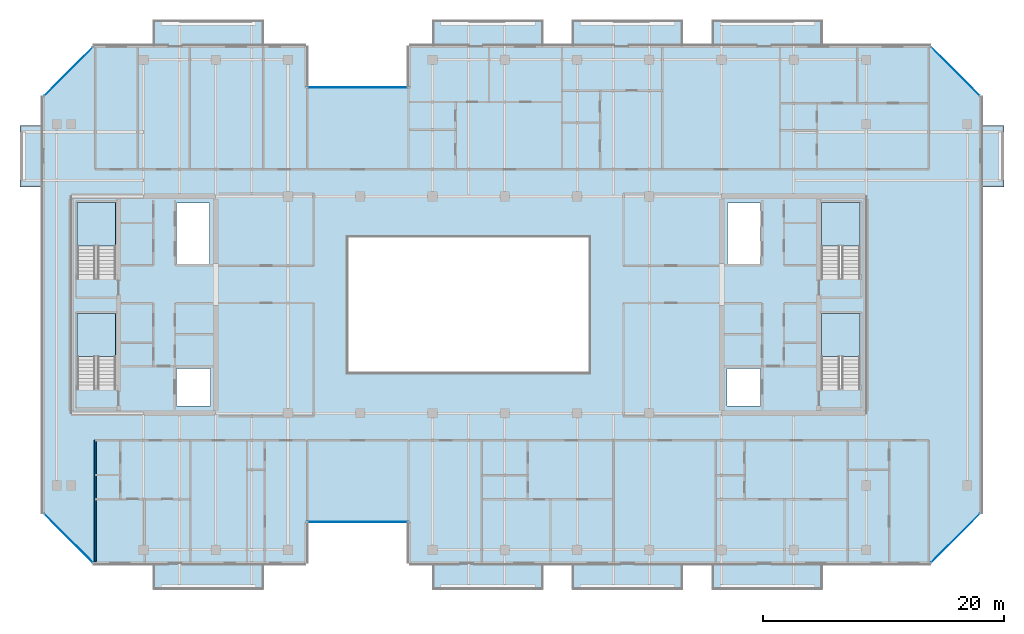
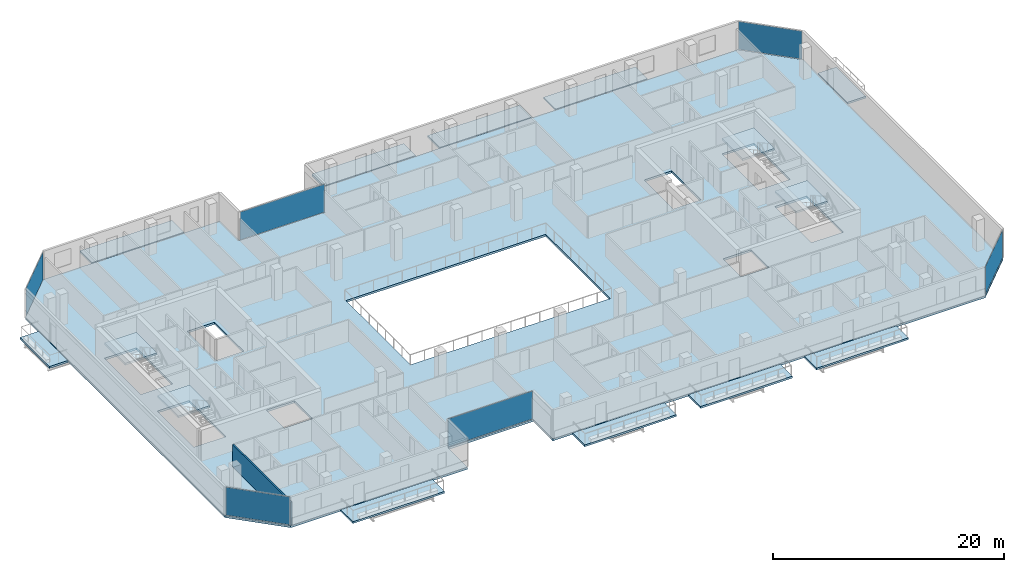
# One storey, part 17 of 29: 15 slabs, 6 plates, 1 wall, 10 elements without a shape of their own.
"""IFC4 building model written with IfcOpenShell, lengths in metres."""

from ifc_helpers import new_model, si_unit, direction, frame, frame_2d, origin, origin_2d, place, context, subcontext, project, spatial, polyline, rectangle, outline, extrude, material, layer, layer_set, type_object, element, aggregate, save


model = new_model("IFC4")

# Units and contexts
model_context = context("Model", 3, precision=1e-05, world=origin(), true_north=direction((0.0, 1.0)))
body_context = subcontext(model_context, "Body", "Model", "MODEL_VIEW")
ifc_project = project(units=[si_unit("LENGTHUNIT", "METRE"), si_unit("AREAUNIT", "SQUARE_METRE"), si_unit("VOLUMEUNIT", "CUBIC_METRE"), si_unit("PLANEANGLEUNIT", "RADIAN"), si_unit("MASSUNIT", "GRAM", prefix="KILO")], contexts=[model_context])

# Site, building, storey
site_placement = place(None, origin())
site = spatial("IfcSite", under=ifc_project, at=site_placement, CompositionType="ELEMENT")
building_placement = place(site_placement, origin())
building = spatial("IfcBuilding", under=site, at=building_placement, Name="Tanjung Sevakor Pilgrim Tower", CompositionType="ELEMENT")
storey_placement = place(building_placement, frame((0.0, 0.0, 181.830078125)))
storey = spatial("IfcBuildingStorey", under=building, at=storey_placement, Name="L50", CompositionType="ELEMENT", Elevation=181.830078125)

# Slabs
ifc_material_1 = material(Name="Concrete C40/50", Category="concrete")
ifc_layer_1 = layer(ifc_material_1, 0.199951171875)
ifc_layer_set_1 = layer_set([ifc_layer_1], Name="SL-BAL-200")
slab_type_1 = type_object("IfcSlabType", Name="SL-BAL-200", PredefinedType="FLOOR", material=ifc_layer_set_1)
slab_1_placement = place(storey_placement, frame((0.0, 0.0, -0.2001953125)))
element("IfcSlab", 1, at=slab_1_placement, inside=storey, type_object=slab_type_1, Name="L50 Planted Loggia Balcony MAIN-S1", PredefinedType="FLOOR", context=body_context, shape_type="SweptSolid", body=[
    extrude(outline(polyline([(30.800048828125, 9.949951171875), (40.0, 9.949951171875), (40.0, 12.050048828125), (30.800048828125, 12.050048828125), (30.800048828125, 9.949951171875)])), origin(), (0.0, 0.0, 1.0), 0.2001953125),
])
slab_2_placement = place(storey_placement, frame((0.0, 0.0, -0.2001953125)))
element("IfcSlab", 2, at=slab_2_placement, inside=storey, type_object=slab_type_1, Name="L50 Planted Loggia Balcony MAIN-N1", PredefinedType="FLOOR", context=body_context, shape_type="SweptSolid", body=[
    extrude(outline(polyline([(30.800048828125, 55.14990234375), (40.0, 55.14990234375), (40.0, 57.25), (30.800048828125, 57.25), (30.800048828125, 55.14990234375)])), origin(), (0.0, 0.0, 1.0), 0.2001953125),
])
slab_3_placement = place(storey_placement, frame((0.0, 0.0, -0.2001953125)))
element("IfcSlab", 3, at=slab_3_placement, inside=storey, type_object=slab_type_1, Name="L50 Planted Loggia Balcony MAIN-S2", PredefinedType="FLOOR", context=body_context, shape_type="SweptSolid", body=[
    extrude(outline(polyline([(54.0, 9.949951171875), (63.199951171875, 9.949951171875), (63.199951171875, 12.050048828125), (54.0, 12.050048828125), (54.0, 9.949951171875)])), origin(), (0.0, 0.0, 1.0), 0.2001953125),
])
slab_4_placement = place(storey_placement, frame((0.0, 0.0, -0.2001953125)))
element("IfcSlab", 4, at=slab_4_placement, inside=storey, type_object=slab_type_1, Name="L50 Planted Loggia Balcony MAIN-N2", PredefinedType="FLOOR", context=body_context, shape_type="SweptSolid", body=[
    extrude(outline(polyline([(54.0, 55.14990234375), (63.199951171875, 55.14990234375), (63.199951171875, 57.25), (54.0, 57.25), (54.0, 55.14990234375)])), origin(), (0.0, 0.0, 1.0), 0.2001953125),
])
slab_5_placement = place(storey_placement, frame((0.0, 0.0, -0.2001953125)))
element("IfcSlab", 5, at=slab_5_placement, inside=storey, type_object=slab_type_1, Name="L50 Planted Loggia Balcony MAIN-S3", PredefinedType="FLOOR", context=body_context, shape_type="SweptSolid", body=[
    extrude(outline(polyline([(65.60009765625, 9.949951171875), (74.800048828125, 9.949951171875), (74.800048828125, 12.050048828125), (65.60009765625, 12.050048828125), (65.60009765625, 9.949951171875)])), origin(), (0.0, 0.0, 1.0), 0.2001953125),
])
slab_6_placement = place(storey_placement, frame((0.0, 0.0, -0.2001953125)))
element("IfcSlab", 6, at=slab_6_placement, inside=storey, type_object=slab_type_1, Name="L50 Planted Loggia Balcony MAIN-N3", PredefinedType="FLOOR", context=body_context, shape_type="SweptSolid", body=[
    extrude(outline(polyline([(65.60009765625, 55.14990234375), (74.800048828125, 55.14990234375), (74.800048828125, 57.25), (65.60009765625, 57.25), (65.60009765625, 55.14990234375)])), origin(), (0.0, 0.0, 1.0), 0.2001953125),
])
slab_7_placement = place(storey_placement, frame((0.0, 0.0, -0.2001953125)))
element("IfcSlab", 7, at=slab_7_placement, inside=storey, type_object=slab_type_1, Name="L50 Planted Loggia Balcony MAIN-S4", PredefinedType="FLOOR", context=body_context, shape_type="SweptSolid", body=[
    extrude(outline(polyline([(77.199951171875, 9.949951171875), (86.39990234375, 9.949951171875), (86.39990234375, 12.050048828125), (77.199951171875, 12.050048828125), (77.199951171875, 9.949951171875)])), origin(), (0.0, 0.0, 1.0), 0.2001953125),
])
slab_8_placement = place(storey_placement, frame((0.0, 0.0, -0.2001953125)))
element("IfcSlab", 8, at=slab_8_placement, inside=storey, type_object=slab_type_1, Name="L50 Planted Loggia Balcony MAIN-N4", PredefinedType="FLOOR", context=body_context, shape_type="SweptSolid", body=[
    extrude(outline(polyline([(77.199951171875, 55.14990234375), (86.39990234375, 55.14990234375), (86.39990234375, 57.25), (77.199951171875, 57.25), (77.199951171875, 55.14990234375)])), origin(), (0.0, 0.0, 1.0), 0.2001953125),
])
slab_9_placement = place(storey_placement, frame((0.0, 0.0, -0.2001953125)))
element("IfcSlab", 9, at=slab_9_placement, inside=storey, type_object=slab_type_1, Name="L50 Planted Loggia Balcony MAIN-W1", PredefinedType="FLOOR", context=body_context, shape_type="SweptSolid", body=[
    extrude(outline(polyline([(19.75, 43.39990234375), (21.60009765625, 43.39990234375), (21.60009765625, 48.5), (19.75, 48.5), (19.75, 43.39990234375)])), origin(), (0.0, 0.0, 1.0), 0.2001953125),
])
slab_10_placement = place(storey_placement, frame((0.0, 0.0, -0.2001953125)))
element("IfcSlab", 10, at=slab_10_placement, inside=storey, type_object=slab_type_1, Name="L50 Planted Loggia Balcony MAIN-E1", PredefinedType="FLOOR", context=body_context, shape_type="SweptSolid", body=[
    extrude(outline(polyline([(99.60009765625, 43.39990234375), (101.449951171875, 43.39990234375), (101.449951171875, 48.5), (99.60009765625, 48.5), (99.60009765625, 43.39990234375)])), origin(), (0.0, 0.0, 1.0), 0.2001953125),
])

# Stair, slab
ifc_material_2 = material(Name="Concrete C40/50", Category="concrete")
stair_type = type_object("IfcStairType", Name="STAIR-ST-CR150", PredefinedType="HALF_TURN_STAIR", material=ifc_material_2)
stair_1_placement = place(storey_placement, origin())
stair_1 = element("IfcStair", 11, at=stair_1_placement, inside=storey, type_object=stair_type, Name="L50 West Core Exit Stair 1", PredefinedType="HALF_TURN_STAIR")
ifc_material_3 = material(Name="Concrete C40/50", Category="concrete")
ifc_layer_2 = layer(ifc_material_3, 0.199951171875)
ifc_layer_set_2 = layer_set([ifc_layer_2], Name="SL-LAND-200")
slab_type_2 = type_object("IfcSlabType", Name="SL-LAND-200", PredefinedType="LANDING", material=ifc_layer_set_2)
slab_11_placement = place(storey_placement, frame((0.0, 0.0, 1.449951171875)))
slab_11 = element("IfcSlab", 12, at=slab_11_placement, type_object=slab_type_2, Name="TS-W1 landing 1", PredefinedType="LANDING", context=body_context, shape_type="SweptSolid", body=[
    extrude(outline(polyline([(27.699951171875, 29.300048828125), (27.699951171875, 32.89990234375), (24.5, 32.89990234375), (24.5, 29.300048828125), (27.699951171875, 29.300048828125)])), origin(), (0.0, 0.0, 1.0), 0.199951171875),
])
aggregate(stair_1, [slab_11])

stair_2_placement = place(storey_placement, origin())
stair_2 = element("IfcStair", 13, at=stair_2_placement, inside=storey, type_object=stair_type, Name="L50 West Core Exit Stair 2", PredefinedType="HALF_TURN_STAIR")
slab_12_placement = place(storey_placement, frame((0.0, 0.0, 1.449951171875)))
slab_12 = element("IfcSlab", 14, at=slab_12_placement, type_object=slab_type_2, Name="TS-W2 landing 1", PredefinedType="LANDING", context=body_context, shape_type="SweptSolid", body=[
    extrude(outline(polyline([(27.699951171875, 38.5), (27.699951171875, 42.10009765625), (24.5, 42.10009765625), (24.5, 38.5), (27.699951171875, 38.5)])), origin(), (0.0, 0.0, 1.0), 0.199951171875),
])
aggregate(stair_2, [slab_12])

stair_3_placement = place(storey_placement, origin())
stair_3 = element("IfcStair", 15, at=stair_3_placement, inside=storey, type_object=stair_type, Name="L50 East Core Exit Stair 1", PredefinedType="HALF_TURN_STAIR")
slab_13_placement = place(storey_placement, frame((0.0, 0.0, 1.449951171875)))
slab_13 = element("IfcSlab", 16, at=slab_13_placement, type_object=slab_type_2, Name="TS-E1 landing 1", PredefinedType="LANDING", context=body_context, shape_type="SweptSolid", body=[
    extrude(outline(polyline([(89.5, 29.300048828125), (89.5, 32.89990234375), (86.300048828125, 32.89990234375), (86.300048828125, 29.300048828125), (89.5, 29.300048828125)])), origin(), (0.0, 0.0, 1.0), 0.199951171875),
])
aggregate(stair_3, [slab_13])

stair_4_placement = place(storey_placement, origin())
stair_4 = element("IfcStair", 17, at=stair_4_placement, inside=storey, type_object=stair_type, Name="L50 East Core Exit Stair 2", PredefinedType="HALF_TURN_STAIR")
slab_14_placement = place(storey_placement, frame((0.0, 0.0, 1.449951171875)))
slab_14 = element("IfcSlab", 18, at=slab_14_placement, type_object=slab_type_2, Name="TS-E2 landing 1", PredefinedType="LANDING", context=body_context, shape_type="SweptSolid", body=[
    extrude(outline(polyline([(89.5, 38.5), (89.5, 42.10009765625), (86.300048828125, 42.10009765625), (86.300048828125, 38.5), (89.5, 38.5)])), origin(), (0.0, 0.0, 1.0), 0.199951171875),
])
aggregate(stair_4, [slab_14])

# Slab
ifc_material_4 = material(Name="Concrete C40/50", Category="concrete")
ifc_layer_3 = layer(ifc_material_4, 0.219970703125)
ifc_layer_set_3 = layer_set([ifc_layer_3], Name="SL-TWR-220")
slab_type_3 = type_object("IfcSlabType", Name="SL-TWR-220", PredefinedType="FLOOR", material=ifc_layer_set_3)
slab_15_placement = place(storey_placement, frame((0.0, 0.0, -0.219970703125)))
element("IfcSlab", 19, at=slab_15_placement, inside=storey, type_object=slab_type_3, Name="L50 Floor Slab MAIN", PredefinedType="FLOOR", context=body_context, shape_type="SweptSolid", body=[
    extrude(outline(polyline([(25.846923828125, 12.1298828125), (43.52001953125, 12.1298828125), (43.52001953125, 15.530029296875), (52.080078125, 15.530029296875), (52.080078125, 12.1298828125), (95.35302734375, 12.1298828125), (99.52001953125, 16.296875), (99.52001953125, 50.903076171875), (95.35302734375, 55.070068359375), (52.080078125, 55.070068359375), (52.080078125, 51.669921875), (43.52001953125, 51.669921875), (43.52001953125, 55.070068359375), (25.846923828125, 55.070068359375), (21.679931640625, 50.903076171875), (21.679931640625, 16.296875), (25.846923828125, 12.1298828125)]), holes=[polyline([(27.699951171875, 26.60009765625), (27.699951171875, 32.89990234375), (24.5, 32.89990234375), (24.5, 26.60009765625), (27.699951171875, 26.60009765625)]), polyline([(27.699951171875, 35.800048828125), (27.699951171875, 42.10009765625), (24.5, 42.10009765625), (24.5, 35.800048828125), (27.699951171875, 35.800048828125)]), polyline([(89.5, 26.60009765625), (89.5, 32.89990234375), (86.300048828125, 32.89990234375), (86.300048828125, 26.60009765625), (89.5, 26.60009765625)]), polyline([(89.5, 35.800048828125), (89.5, 42.10009765625), (86.300048828125, 42.10009765625), (86.300048828125, 35.800048828125), (89.5, 35.800048828125)]), polyline([(32.75, 25.199951171875), (35.550048828125, 25.199951171875), (35.550048828125, 28.300048828125), (32.75, 28.300048828125), (32.75, 25.199951171875)]), polyline([(32.75, 37.0), (35.5, 37.0), (35.5, 42.050048828125), (32.75, 42.050048828125), (32.75, 37.0)]), polyline([(78.449951171875, 25.199951171875), (81.25, 25.199951171875), (81.25, 28.300048828125), (78.449951171875, 28.300048828125), (78.449951171875, 25.199951171875)]), polyline([(78.5, 37.0), (81.25, 37.0), (81.25, 42.050048828125), (78.5, 42.050048828125), (78.5, 37.0)]), polyline([(47.0, 28.0), (67.0, 28.0), (67.0, 39.199951171875), (47.0, 39.199951171875), (47.0, 28.0)])]), origin(), (0.0, 0.0, 1.0), 0.219970703125),
])

# Curtain wall, plate
ifc_material_5 = material(Name="Aluminium 6063-T6 and Low-E Glass", Category="aluminium")
ifc_layer_4 = layer(ifc_material_5, 0.179931640625)
ifc_layer_set_4 = layer_set([ifc_layer_4], Name="CW-SYS-CLEFT")
curtain_wall_type_1 = type_object("IfcCurtainWallType", Name="CW-SYS-CLEFT", PredefinedType="NOTDEFINED", material=ifc_layer_set_4)
curtain_wall_1_placement = place(storey_placement, origin())
curtain_wall_1 = element("IfcCurtainWall", 20, at=curtain_wall_1_placement, inside=storey, type_object=curtain_wall_type_1, Name="L50 Curtain Wall CW-CLF-L50-2", PredefinedType="NOTDEFINED")
ifc_material_6 = material(Name="Laminated Low-E Double Glazing", Category="glass")
ifc_layer_5 = layer(ifc_material_6, 0.028076171875)
ifc_layer_set_5 = layer_set([ifc_layer_5], Name="TYPE-CWP-GLZ1")
plate_type = type_object("IfcPlateType", Name="TYPE-CWP-GLZ1", PredefinedType="CURTAIN_PANEL", material=ifc_layer_set_5)
plate_1_placement = place(storey_placement, frame((47.800048828125, 15.56005859375, 0.06494140625), z_axis=(0.0, 0.0, 1.0), x_axis=(1.0, 0.0, 0.0)))
plate_1 = element("IfcPlate", 21, at=plate_1_placement, type_object=plate_type, Name="CW-CLF panel 1.1", PredefinedType="CURTAIN_PANEL", context=body_context, shape_type="SweptSolid", body=[
    extrude(rectangle(XDim=8.469970703125, YDim=0.028076171875, at=origin_2d()), origin(), (0.0, 0.0, 1.0), 2.949951171875),
])
aggregate(curtain_wall_1, [plate_1])

ifc_material_7 = material(Name="Aluminium 6063-T6 and Low-E Glass", Category="aluminium")
ifc_layer_6 = layer(ifc_material_7, 0.179931640625)
ifc_layer_set_6 = layer_set([ifc_layer_6], Name="CW-SYS-CHAM")
curtain_wall_type_2 = type_object("IfcCurtainWallType", Name="CW-SYS-CHAM", PredefinedType="NOTDEFINED", material=ifc_layer_set_6)
curtain_wall_2_placement = place(storey_placement, origin())
curtain_wall_2 = element("IfcCurtainWall", 22, at=curtain_wall_2_placement, inside=storey, type_object=curtain_wall_type_2, Name="L50 Curtain Wall CW-CHM-L50-MAIN-5", PredefinedType="NOTDEFINED")
plate_2_placement = place(storey_placement, frame((97.422119140625, 14.227783203125, 0.06494140625), z_axis=(0.0, 0.0, 1.0), x_axis=(0.707106781187, 0.707106781187, 0.0)))
plate_2 = element("IfcPlate", 23, at=plate_2_placement, type_object=plate_type, Name="CW-CHM panel 1.1", PredefinedType="CURTAIN_PANEL", context=body_context, shape_type="SweptSolid", body=[
    extrude(rectangle(XDim=5.718505859375, YDim=0.028076171875, at=origin_2d()), origin(), (0.0, 0.0, 1.0), 2.949951171875),
])
aggregate(curtain_wall_2, [plate_2])

curtain_wall_3_placement = place(storey_placement, origin())
curtain_wall_3 = element("IfcCurtainWall", 24, at=curtain_wall_3_placement, inside=storey, type_object=curtain_wall_type_2, Name="L50 Curtain Wall CW-CHM-L50-MAIN-7", PredefinedType="NOTDEFINED")
plate_3_placement = place(storey_placement, frame((97.422119140625, 52.97216796875, 0.06494140625), z_axis=(0.0, 0.0, 1.0), x_axis=(-0.707106781187, 0.707106781187, 0.0)))
plate_3 = element("IfcPlate", 25, at=plate_3_placement, type_object=plate_type, Name="CW-CHM panel 1.1", PredefinedType="CURTAIN_PANEL", context=body_context, shape_type="SweptSolid", body=[
    extrude(rectangle(XDim=5.718505859375, YDim=0.028076171875, at=origin_2d()), origin(), (0.0, 0.0, 1.0), 2.949951171875),
])
aggregate(curtain_wall_3, [plate_3])

curtain_wall_4_placement = place(storey_placement, origin())
curtain_wall_4 = element("IfcCurtainWall", 26, at=curtain_wall_4_placement, inside=storey, type_object=curtain_wall_type_1, Name="L50 Curtain Wall CW-CLF-L50-10", PredefinedType="NOTDEFINED")
plate_4_placement = place(storey_placement, frame((47.800048828125, 51.639892578125, 0.06494140625), z_axis=(0.0, 0.0, 1.0), x_axis=(-1.0, 0.0, 0.0)))
plate_4 = element("IfcPlate", 27, at=plate_4_placement, type_object=plate_type, Name="CW-CLF panel 1.1", PredefinedType="CURTAIN_PANEL", context=body_context, shape_type="SweptSolid", body=[
    extrude(rectangle(XDim=8.469970703125, YDim=0.028076171875, at=origin_2d()), origin(), (0.0, 0.0, 1.0), 2.949951171875),
])
aggregate(curtain_wall_4, [plate_4])

curtain_wall_5_placement = place(storey_placement, origin())
curtain_wall_5 = element("IfcCurtainWall", 28, at=curtain_wall_5_placement, inside=storey, type_object=curtain_wall_type_2, Name="L50 Curtain Wall CW-CHM-L50-MAIN-13", PredefinedType="NOTDEFINED")
plate_5_placement = place(storey_placement, frame((23.77783203125, 52.97216796875, 0.06494140625), z_axis=(0.0, 0.0, 1.0), x_axis=(-0.707106781187, -0.707106781187, 0.0)))
plate_5 = element("IfcPlate", 29, at=plate_5_placement, type_object=plate_type, Name="CW-CHM panel 1.1", PredefinedType="CURTAIN_PANEL", context=body_context, shape_type="SweptSolid", body=[
    extrude(rectangle(XDim=5.718505859375, YDim=0.028076171875, at=origin_2d()), origin(), (0.0, 0.0, 1.0), 2.949951171875),
])
aggregate(curtain_wall_5, [plate_5])

curtain_wall_6_placement = place(storey_placement, origin())
curtain_wall_6 = element("IfcCurtainWall", 30, at=curtain_wall_6_placement, inside=storey, type_object=curtain_wall_type_2, Name="L50 Curtain Wall CW-CHM-L50-MAIN-15", PredefinedType="NOTDEFINED")
plate_6_placement = place(storey_placement, frame((23.77783203125, 14.227783203125, 0.06494140625), z_axis=(0.0, 0.0, 1.0), x_axis=(0.707106781187, -0.707106781187, 0.0)))
plate_6 = element("IfcPlate", 31, at=plate_6_placement, type_object=plate_type, Name="CW-CHM panel 1.1", PredefinedType="CURTAIN_PANEL", context=body_context, shape_type="SweptSolid", body=[
    extrude(rectangle(XDim=5.718505859375, YDim=0.028076171875, at=origin_2d()), origin(), (0.0, 0.0, 1.0), 2.949951171875),
])
aggregate(curtain_wall_6, [plate_6])

# Wall
ifc_material_8 = material(Name="Concrete C40/50", Category="concrete")
ifc_layer_7 = layer(ifc_material_8, 0.14990234375)
ifc_layer_set_7 = layer_set([ifc_layer_7], Name="WT-COMP-150")
wall_type = type_object("IfcWallType", Name="WT-COMP-150", PredefinedType="SOLIDWALL", material=ifc_layer_set_7)
wall_placement = place(storey_placement, frame((26.0, 12.27001953125, 0.0), z_axis=(0.0, 0.0, 1.0), x_axis=(0.0, 1.0, 0.0)))
element("IfcWall", 32, at=wall_placement, inside=storey, type_object=wall_type, Name="L50 Partition IW-L50-045", PredefinedType="SOLIDWALL", context=body_context, shape_type="SweptSolid", body=[
    extrude(rectangle(XDim=10.080078125, YDim=0.14990234375, at=frame_2d((5.0400390625, 0.0))), origin(), (0.0, 0.0, 1.0), 2.35009765625),
])

save(model, "model.ifc")
